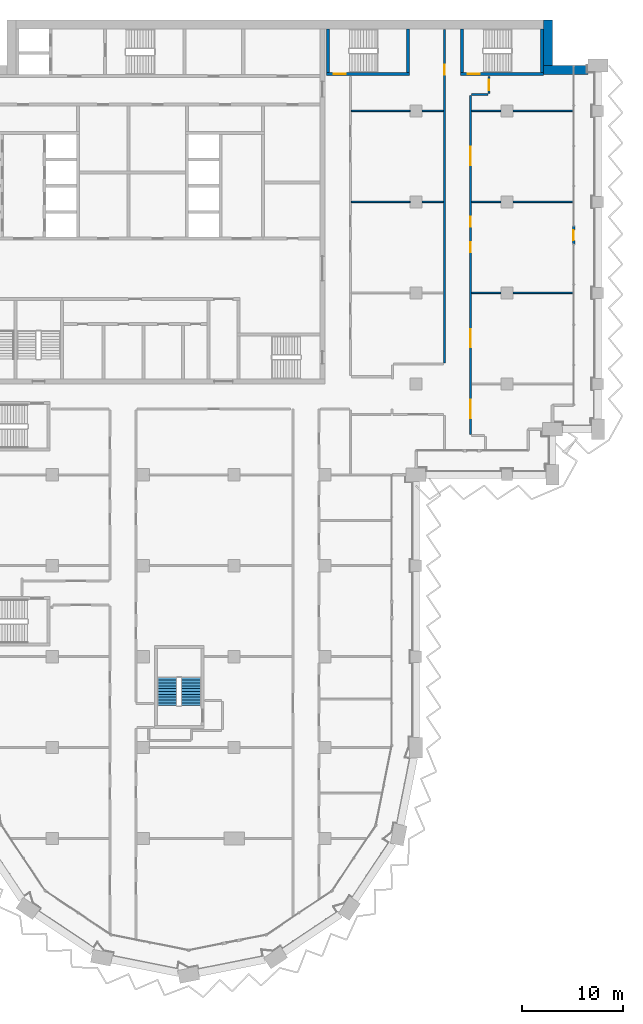
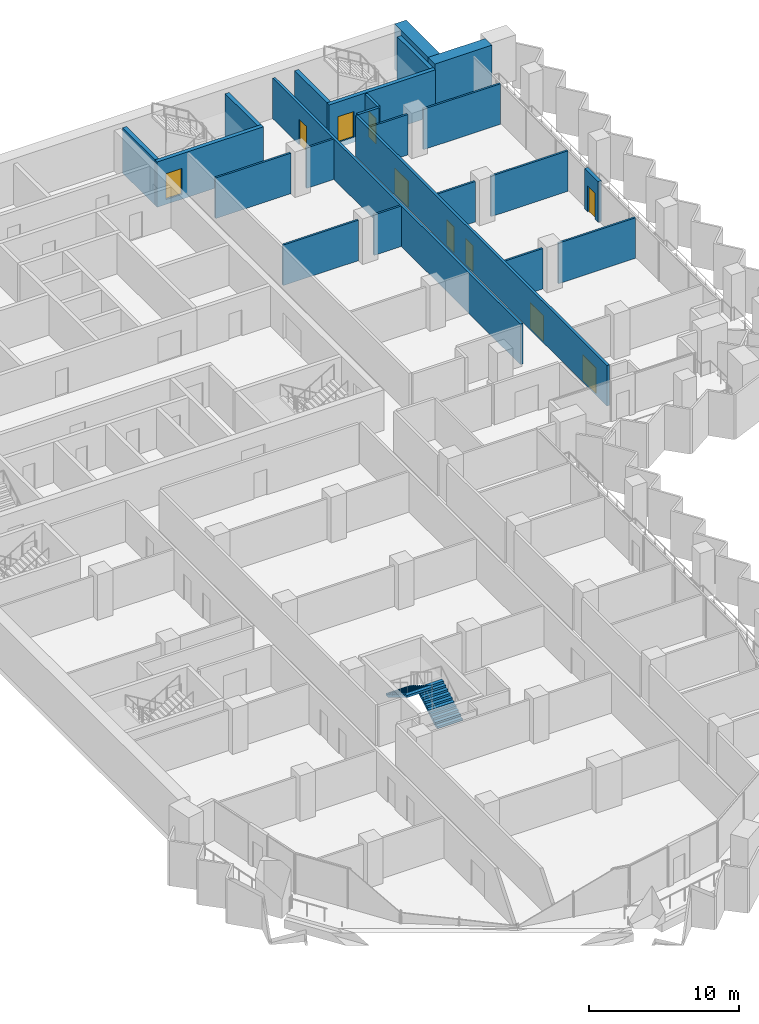
# One storey, part 14 of 22: 23 walls, 10 doors, 2 stair flights, 10 openings, 1 element without a shape of its own.
"""IFC4 building model written with IfcOpenShell, lengths in metres."""

from ifc_helpers import new_model, si_unit, direction, frame, frame_2d, origin, place, context, subcontext, project, spatial, polyline, rectangle, outline, extrude, material, layer, layer_set, type_object, element, fill, aggregate, save


model = new_model("IFC4")

# Units and contexts
model_context = context("Model", 3, precision=1e-05, world=origin(), true_north=direction((0.0, 1.0)))
body_context = subcontext(model_context, "Body", "Model", "MODEL_VIEW")
ifc_project = project(units=[si_unit("LENGTHUNIT", "METRE"), si_unit("AREAUNIT", "SQUARE_METRE"), si_unit("VOLUMEUNIT", "CUBIC_METRE"), si_unit("PLANEANGLEUNIT", "RADIAN"), si_unit("MASSUNIT", "GRAM", prefix="KILO")], contexts=[model_context])

# Site, building, storey
site_placement = place(None, origin())
site = spatial("IfcSite", under=ifc_project, at=site_placement, CompositionType="ELEMENT")
building_placement = place(site_placement, origin())
building = spatial("IfcBuilding", under=site, at=building_placement, Name="Hunhe Ridgeline Campus", CompositionType="ELEMENT")
storey_placement = place(building_placement, frame((0.0, 0.0, 137.5)))
storey = spatial("IfcBuildingStorey", under=building, at=storey_placement, Name="L34", CompositionType="ELEMENT", Elevation=137.5)

# Wall
ifc_material_1 = material(Name="Gypsum board partition")
ifc_layer_1 = layer(ifc_material_1, 0.199951171875)
ifc_layer_set_1 = layer_set([ifc_layer_1], Name="Corridor partition 200 gypsum board on steel studs")
wall_type_1 = type_object("IfcWallType", Name="Corridor partition 200 gypsum board on steel studs", PredefinedType="PARTITIONING", material=ifc_layer_set_1)
wall_1_placement = place(storey_placement, frame((52.10009765625, 91.64990234375, 0.0), z_axis=(0.0, 0.0, 1.0), x_axis=(-1.0, 0.0, 0.0)))
element("IfcWall", 1, at=wall_1_placement, inside=storey, type_object=wall_type_1, Name="F-L34-wall-058", PredefinedType="PARTITIONING", context=body_context, shape_type="SweptSolid", body=[
    extrude(rectangle(XDim=1.60009765625, YDim=0.199951171875, at=frame_2d((0.800048828125, 0.0))), origin(), (0.0, 0.0, 1.0), 3.300048828125),
])

# Wall, opening, door
wall_2_placement = place(storey_placement, frame((47.800048828125, 65.050048828125, 0.0), z_axis=(0.0, 0.0, 1.0), x_axis=(0.0, 1.0, 0.0)))
wall_2 = element("IfcWall", 2, at=wall_2_placement, inside=storey, type_object=wall_type_1, Name="F-L34-wall-080", PredefinedType="PARTITIONING", context=body_context, shape_type="SweptSolid", body=[
    extrude(rectangle(XDim=33.030029296875, YDim=0.199951171875, at=frame_2d((16.51513671875, 0.0))), origin(), (0.0, 0.0, 1.0), 3.300048828125),
])
opening_1_placement = place(wall_2_placement, frame((28.540283203125, 0.0, 0.0)))
opening_1 = element("IfcOpeningElement", 3, at=opening_1_placement, cuts=wall_2, Name="Opening RD1-043", PredefinedType="OPENING", context=body_context, shape_type="SweptSolid", body=[
    extrude(rectangle(XDim=1.0, YDim=2.10009765625, at=frame_2d((0.5, 1.050048828125))), frame((0.0, 0.10009765625, 0.0), z_axis=(0.0, -1.0, 0.0), x_axis=(1.0, 0.0, 0.0)), (0.0, 0.0, 1.0), 0.199951171875),
])
ifc_material_2 = material(Name="Timber door leaf", Category="wood")
door_type_1 = type_object("IfcDoorType", Name="Single fire door 1000x2100 timber FD60", OperationType="NOTDEFINED", PredefinedType="DOOR", material=ifc_material_2)
door_1_placement = place(opening_1_placement, origin())
door_1 = element("IfcDoor", 4, at=door_1_placement, inside=storey, type_object=door_type_1, Name="F-L34-door-043", OperationType="SINGLE_SWING_RIGHT", OverallHeight=2.10009765625, OverallWidth=1.0, PredefinedType="DOOR", context=body_context, shape_type="SweptSolid", body=[
    extrude(rectangle(XDim=1.0, YDim=2.10009765625, at=frame_2d((0.5, 1.050048828125))), frame((0.0, 0.02490234375, 0.0), z_axis=(0.0, -1.0, 0.0), x_axis=(1.0, 0.0, 0.0)), (0.0, 0.0, 1.0), 0.050048828125),
])
fill(opening_1, door_1)

# Wall, openings, doors
wall_3_placement = place(storey_placement, frame((50.39990234375, 91.550048828125, 0.0), z_axis=(0.0, 0.0, 1.0), x_axis=(0.0, -1.0, 0.0)))
wall_3 = element("IfcWall", 5, at=wall_3_placement, inside=storey, type_object=wall_type_1, Name="F-L34-wall-081", PredefinedType="PARTITIONING", context=body_context, shape_type="SweptSolid", body=[
    extrude(rectangle(XDim=33.549072265625, YDim=0.199951171875, at=frame_2d((16.7744140625, 0.0))), origin(), (0.0, 0.0, 1.0), 3.300048828125),
])
opening_2_placement = place(wall_3_placement, frame((30.145263671875, 0.0, 0.0)))
opening_2 = element("IfcOpeningElement", 6, at=opening_2_placement, cuts=wall_3, Name="Opening RD2-031", PredefinedType="OPENING", context=body_context, shape_type="SweptSolid", body=[
    extrude(rectangle(XDim=1.800048828125, YDim=2.10009765625, at=frame_2d((0.89990234375, 1.050048828125))), frame((0.0, 0.10009765625, 0.0), z_axis=(0.0, -1.0, 0.0), x_axis=(1.0, 0.0, 0.0)), (0.0, 0.0, 1.0), 0.199951171875),
])
opening_3_placement = place(wall_3_placement, frame((23.135009765625, 0.0, 0.0)))
opening_3 = element("IfcOpeningElement", 7, at=opening_3_placement, cuts=wall_3, Name="Opening RD2-032", PredefinedType="OPENING", context=body_context, shape_type="SweptSolid", body=[
    extrude(rectangle(XDim=1.800048828125, YDim=2.10009765625, at=frame_2d((0.89990234375, 1.050048828125))), frame((0.0, 0.10009765625, 0.0), z_axis=(0.0, -1.0, 0.0), x_axis=(1.0, 0.0, 0.0)), (0.0, 0.0, 1.0), 0.199951171875),
])
opening_4_placement = place(wall_3_placement, frame((14.52197265625, 0.0, 0.0)))
opening_4 = element("IfcOpeningElement", 8, at=opening_4_placement, cuts=wall_3, Name="Opening RD1-035", PredefinedType="OPENING", context=body_context, shape_type="SweptSolid", body=[
    extrude(rectangle(XDim=1.0, YDim=2.10009765625, at=frame_2d((0.5, 1.050048828125))), frame((0.0, 0.10009765625, 0.0), z_axis=(0.0, -1.0, 0.0), x_axis=(1.0, 0.0, 0.0)), (0.0, 0.0, 1.0), 0.199951171875),
])
opening_5_placement = place(wall_3_placement, frame((12.02197265625, 0.0, 0.0)))
opening_5 = element("IfcOpeningElement", 9, at=opening_5_placement, cuts=wall_3, Name="Opening RD1-037", PredefinedType="OPENING", context=body_context, shape_type="SweptSolid", body=[
    extrude(rectangle(XDim=1.0, YDim=2.10009765625, at=frame_2d((0.5, 1.050048828125))), frame((0.0, 0.10009765625, 0.0), z_axis=(0.0, -1.0, 0.0), x_axis=(1.0, 0.0, 0.0)), (0.0, 0.0, 1.0), 0.199951171875),
])
opening_6_placement = place(wall_3_placement, frame((5.10888671875, 0.0, 0.0)))
opening_6 = element("IfcOpeningElement", 10, at=opening_6_placement, cuts=wall_3, Name="Opening RD2-040", PredefinedType="OPENING", context=body_context, shape_type="SweptSolid", body=[
    extrude(rectangle(XDim=1.800048828125, YDim=2.10009765625, at=frame_2d((0.89990234375, 1.050048828125))), frame((0.0, 0.10009765625, 0.0), z_axis=(0.0, -1.0, 0.0), x_axis=(1.0, 0.0, 0.0)), (0.0, 0.0, 1.0), 0.199951171875),
])
door_type_2 = type_object("IfcDoorType", Name="Double fire door 1800x2100 timber FD60", OperationType="DOUBLE_DOOR_SINGLE_SWING", PredefinedType="DOOR", material=ifc_material_2)
door_2_placement = place(opening_2_placement, origin())
door_2 = element("IfcDoor", 11, at=door_2_placement, inside=storey, type_object=door_type_2, Name="F-L34-door-031", OperationType="DOUBLE_DOOR_SINGLE_SWING", OverallHeight=2.10009765625, OverallWidth=1.800048828125, PredefinedType="DOOR", context=body_context, shape_type="SweptSolid", body=[
    extrude(rectangle(XDim=1.800048828125, YDim=2.10009765625, at=frame_2d((0.89990234375, 1.050048828125))), frame((0.0, 0.02490234375, 0.0), z_axis=(0.0, -1.0, 0.0), x_axis=(1.0, 0.0, 0.0)), (0.0, 0.0, 1.0), 0.050048828125),
])
fill(opening_2, door_2)
door_3_placement = place(opening_3_placement, origin())
door_3 = element("IfcDoor", 12, at=door_3_placement, inside=storey, type_object=door_type_2, Name="F-L34-door-032", OperationType="DOUBLE_DOOR_SINGLE_SWING", OverallHeight=2.10009765625, OverallWidth=1.800048828125, PredefinedType="DOOR", context=body_context, shape_type="SweptSolid", body=[
    extrude(rectangle(XDim=1.800048828125, YDim=2.10009765625, at=frame_2d((0.89990234375, 1.050048828125))), frame((0.0, 0.02490234375, 0.0), z_axis=(0.0, -1.0, 0.0), x_axis=(1.0, 0.0, 0.0)), (0.0, 0.0, 1.0), 0.050048828125),
])
fill(opening_3, door_3)
door_4_placement = place(opening_6_placement, origin())
door_4 = element("IfcDoor", 13, at=door_4_placement, inside=storey, type_object=door_type_2, Name="F-L34-door-040", OperationType="DOUBLE_DOOR_SINGLE_SWING", OverallHeight=2.10009765625, OverallWidth=1.800048828125, PredefinedType="DOOR", context=body_context, shape_type="SweptSolid", body=[
    extrude(rectangle(XDim=1.800048828125, YDim=2.10009765625, at=frame_2d((0.89990234375, 1.050048828125))), frame((0.0, 0.02490234375, 0.0), z_axis=(0.0, -1.0, 0.0), x_axis=(1.0, 0.0, 0.0)), (0.0, 0.0, 1.0), 0.050048828125),
])
fill(opening_6, door_4)
door_5_placement = place(opening_4_placement, frame((1.0, 0.0, 0.0), z_axis=(0.0, 0.0, 1.0), x_axis=(-1.0, 0.0, 0.0)))
door_5 = element("IfcDoor", 14, at=door_5_placement, inside=storey, type_object=door_type_1, Name="F-L34-door-035", OperationType="SINGLE_SWING_RIGHT", OverallHeight=2.10009765625, OverallWidth=1.0, PredefinedType="DOOR", context=body_context, shape_type="SweptSolid", body=[
    extrude(rectangle(XDim=1.0, YDim=2.10009765625, at=frame_2d((0.5, 1.050048828125))), frame((0.0, 0.02490234375, 0.0), z_axis=(0.0, -1.0, 0.0), x_axis=(1.0, 0.0, 0.0)), (0.0, 0.0, 1.0), 0.050048828125),
])
fill(opening_4, door_5)
door_6_placement = place(opening_5_placement, frame((1.0, 0.0, 0.0), z_axis=(0.0, 0.0, 1.0), x_axis=(-1.0, 0.0, 0.0)))
door_6 = element("IfcDoor", 15, at=door_6_placement, inside=storey, type_object=door_type_1, Name="F-L34-door-037", OperationType="SINGLE_SWING_RIGHT", OverallHeight=2.10009765625, OverallWidth=1.0, PredefinedType="DOOR", context=body_context, shape_type="SweptSolid", body=[
    extrude(rectangle(XDim=1.0, YDim=2.10009765625, at=frame_2d((0.5, 1.050048828125))), frame((0.0, 0.02490234375, 0.0), z_axis=(0.0, -1.0, 0.0), x_axis=(1.0, 0.0, 0.0)), (0.0, 0.0, 1.0), 0.050048828125),
])
fill(opening_5, door_6)

# Wall, opening, door
wall_4_placement = place(storey_placement, frame((52.199951171875, 93.39599609375, 0.0), z_axis=(0.0, 0.0, 1.0), x_axis=(0.0, -1.0, 0.0)))
wall_4 = element("IfcWall", 16, at=wall_4_placement, inside=storey, type_object=wall_type_1, Name="F-L34-wall-083", PredefinedType="PARTITIONING", context=body_context, shape_type="SweptSolid", body=[
    extrude(rectangle(XDim=1.64599609375, YDim=0.199951171875, at=frame_2d((0.822998046875, 0.0))), origin(), (0.0, 0.0, 1.0), 3.300048828125),
])
opening_7_placement = place(wall_4_placement, frame((0.322998046875, 0.0, 0.0)))
opening_7 = element("IfcOpeningElement", 17, at=opening_7_placement, cuts=wall_4, Name="Opening RD1-042", PredefinedType="OPENING", context=body_context, shape_type="SweptSolid", body=[
    extrude(rectangle(XDim=1.0, YDim=2.10009765625, at=frame_2d((0.5, 1.050048828125))), frame((0.0, 0.10009765625, 0.0), z_axis=(0.0, -1.0, 0.0), x_axis=(1.0, 0.0, 0.0)), (0.0, 0.0, 1.0), 0.199951171875),
])
door_7_placement = place(opening_7_placement, origin())
door_7 = element("IfcDoor", 18, at=door_7_placement, inside=storey, type_object=door_type_1, Name="F-L34-door-042", OperationType="SINGLE_SWING_LEFT", OverallHeight=2.10009765625, OverallWidth=1.0, PredefinedType="DOOR", context=body_context, shape_type="SweptSolid", body=[
    extrude(rectangle(XDim=1.0, YDim=2.10009765625, at=frame_2d((0.5, 1.050048828125))), frame((0.0, 0.02490234375, 0.0), z_axis=(0.0, -1.0, 0.0), x_axis=(1.0, 0.0, 0.0)), (0.0, 0.0, 1.0), 0.050048828125),
])
fill(opening_7, door_7)

ifc_material_3 = material(Name="Concrete C30", Category="concrete")
ifc_layer_2 = layer(ifc_material_3, 0.25)
ifc_layer_set_2 = layer_set([ifc_layer_2], Name="Loggia door pier wall 250 Concrete C30")
wall_type_2 = type_object("IfcWallType", Name="Loggia door pier wall 250 Concrete C30", PredefinedType="SOLIDWALL", material=ifc_layer_set_2)
wall_5_placement = place(storey_placement, frame((60.59912109375, 76.800537109375, 0.0), z_axis=(0.0, 0.0, 1.0), x_axis=(0.0, 1.0, 0.0)))
wall_5 = element("IfcWall", 19, at=wall_5_placement, inside=storey, type_object=wall_type_2, Name="Loggia door pier 5", PredefinedType="SOLIDWALL", context=body_context, shape_type="SweptSolid", body=[
    extrude(rectangle(XDim=1.800048828125, YDim=0.25, at=frame_2d((0.89990234375, 0.0))), origin(), (0.0, 0.0, 1.0), 3.300048828125),
])
opening_8_placement = place(wall_5_placement, frame((0.39990234375, 0.0, 0.0)))
opening_8 = element("IfcOpeningElement", 20, at=opening_8_placement, cuts=wall_5, Name="Opening BD307", PredefinedType="OPENING", context=body_context, shape_type="SweptSolid", body=[
    extrude(rectangle(XDim=1.0, YDim=2.10009765625, at=frame_2d((0.5, 1.050048828125))), frame((0.0, 0.125, 0.0), z_axis=(0.0, -1.0, 0.0), x_axis=(1.0, 0.0, 0.0)), (0.0, 0.0, 1.0), 0.25),
])
ifc_material_4 = material(Name="Aluminium 6063", Category="aluminium")
door_type_3 = type_object("IfcDoorType", Name="Loggia glazed door 1000x2100", OperationType="NOTDEFINED", PredefinedType="DOOR", material=ifc_material_4)
door_8_placement = place(opening_8_placement, frame((1.0, 0.0, 0.0), z_axis=(0.0, 0.0, 1.0), x_axis=(-1.0, 0.0, 0.0)))
door_8 = element("IfcDoor", 21, at=door_8_placement, inside=storey, type_object=door_type_3, Name="Loggia door BD307", OperationType="SINGLE_SWING_RIGHT", OverallHeight=2.10009765625, OverallWidth=1.0, PredefinedType="DOOR", context=body_context, shape_type="SweptSolid", body=[
    extrude(rectangle(XDim=1.0, YDim=2.10009765625, at=frame_2d((0.5, 1.050048828125))), frame((0.0, 0.02490234375, 0.0), z_axis=(0.0, -1.0, 0.0), x_axis=(1.0, 0.0, 0.0)), (0.0, 0.0, 1.0), 0.050048828125),
])
fill(opening_8, door_8)

# Walls
ifc_layer_3 = layer(ifc_material_1, 0.14990234375)
ifc_layer_set_3 = layer_set([ifc_layer_3], Name="Room partition 150 gypsum board on steel studs")
wall_type_3 = type_object("IfcWallType", Name="Room partition 150 gypsum board on steel studs", PredefinedType="PARTITIONING", material=ifc_layer_set_3)
wall_6_placement = place(storey_placement, frame((50.5, 72.0, 0.0), z_axis=(0.0, 0.0, 1.0), x_axis=(1.0, 0.0, 0.0)))
element("IfcWall", 22, at=wall_6_placement, inside=storey, type_object=wall_type_3, Name="F-L34-wall-048", PredefinedType="PARTITIONING", context=body_context, shape_type="SweptSolid", body=[
    extrude(rectangle(XDim=2.89990234375, YDim=0.14990234375, at=frame_2d((1.449951171875, 0.0))), origin(), (0.0, 0.0, 1.0), 3.300048828125),
])
wall_7_placement = place(storey_placement, frame((54.60009765625, 72.0, 0.0), z_axis=(0.0, 0.0, 1.0), x_axis=(1.0, 0.0, 0.0)))
element("IfcWall", 23, at=wall_7_placement, inside=storey, type_object=wall_type_3, Name="F-L34-wall-049", PredefinedType="PARTITIONING", context=body_context, shape_type="SweptSolid", body=[
    extrude(rectangle(XDim=5.94482421875, YDim=0.14990234375, at=frame_2d((2.972412109375, 0.0))), origin(), (0.0, 0.0, 1.0), 3.300048828125),
])
wall_8_placement = place(storey_placement, frame((38.60009765625, 81.0, 0.0), z_axis=(0.0, 0.0, 1.0), x_axis=(1.0, 0.0, 0.0)))
element("IfcWall", 24, at=wall_8_placement, inside=storey, type_object=wall_type_3, Name="F-L34-wall-050", PredefinedType="PARTITIONING", context=body_context, shape_type="SweptSolid", body=[
    extrude(rectangle(XDim=5.7998046875, YDim=0.14990234375, at=frame_2d((2.89990234375, 0.0))), origin(), (0.0, 0.0, 1.0), 3.300048828125),
])
wall_9_placement = place(storey_placement, frame((45.60009765625, 81.0, 0.0), z_axis=(0.0, 0.0, 1.0), x_axis=(1.0, 0.0, 0.0)))
element("IfcWall", 25, at=wall_9_placement, inside=storey, type_object=wall_type_3, Name="F-L34-wall-051", PredefinedType="PARTITIONING", context=body_context, shape_type="SweptSolid", body=[
    extrude(rectangle(XDim=2.099853515625, YDim=0.14990234375, at=frame_2d((1.0498046875, 0.0))), origin(), (0.0, 0.0, 1.0), 3.300048828125),
])
wall_10_placement = place(storey_placement, frame((50.5, 81.0, 0.0), z_axis=(0.0, 0.0, 1.0), x_axis=(1.0, 0.0, 0.0)))
element("IfcWall", 26, at=wall_10_placement, inside=storey, type_object=wall_type_3, Name="F-L34-wall-052", PredefinedType="PARTITIONING", context=body_context, shape_type="SweptSolid", body=[
    extrude(rectangle(XDim=2.89990234375, YDim=0.14990234375, at=frame_2d((1.449951171875, 0.0))), origin(), (0.0, 0.0, 1.0), 3.300048828125),
])
wall_11_placement = place(storey_placement, frame((54.60009765625, 81.0, 0.0), z_axis=(0.0, 0.0, 1.0), x_axis=(1.0, 0.0, 0.0)))
element("IfcWall", 27, at=wall_11_placement, inside=storey, type_object=wall_type_3, Name="F-L34-wall-053", PredefinedType="PARTITIONING", context=body_context, shape_type="SweptSolid", body=[
    extrude(rectangle(XDim=5.94482421875, YDim=0.14990234375, at=frame_2d((2.972412109375, 0.0))), origin(), (0.0, 0.0, 1.0), 3.300048828125),
])
wall_12_placement = place(storey_placement, frame((38.60009765625, 90.0, 0.0), z_axis=(0.0, 0.0, 1.0), x_axis=(1.0, 0.0, 0.0)))
element("IfcWall", 28, at=wall_12_placement, inside=storey, type_object=wall_type_3, Name="F-L34-wall-054", PredefinedType="PARTITIONING", context=body_context, shape_type="SweptSolid", body=[
    extrude(rectangle(XDim=5.7998046875, YDim=0.14990234375, at=frame_2d((2.89990234375, 0.0))), origin(), (0.0, 0.0, 1.0), 3.300048828125),
])
wall_13_placement = place(storey_placement, frame((45.60009765625, 90.0, 0.0), z_axis=(0.0, 0.0, 1.0), x_axis=(1.0, 0.0, 0.0)))
element("IfcWall", 29, at=wall_13_placement, inside=storey, type_object=wall_type_3, Name="F-L34-wall-055", PredefinedType="PARTITIONING", context=body_context, shape_type="SweptSolid", body=[
    extrude(rectangle(XDim=2.099853515625, YDim=0.14990234375, at=frame_2d((1.0498046875, 0.0))), origin(), (0.0, 0.0, 1.0), 3.300048828125),
])
wall_14_placement = place(storey_placement, frame((50.5, 90.0, 0.0), z_axis=(0.0, 0.0, 1.0), x_axis=(1.0, 0.0, 0.0)))
element("IfcWall", 30, at=wall_14_placement, inside=storey, type_object=wall_type_3, Name="F-L34-wall-056", PredefinedType="PARTITIONING", context=body_context, shape_type="SweptSolid", body=[
    extrude(rectangle(XDim=2.89990234375, YDim=0.14990234375, at=frame_2d((1.449951171875, 0.0))), origin(), (0.0, 0.0, 1.0), 3.300048828125),
])
wall_15_placement = place(storey_placement, frame((54.60009765625, 90.0, 0.0), z_axis=(0.0, 0.0, 1.0), x_axis=(1.0, 0.0, 0.0)))
element("IfcWall", 31, at=wall_15_placement, inside=storey, type_object=wall_type_3, Name="F-L34-wall-057", PredefinedType="PARTITIONING", context=body_context, shape_type="SweptSolid", body=[
    extrude(rectangle(XDim=5.94482421875, YDim=0.14990234375, at=frame_2d((2.972412109375, 0.0))), origin(), (0.0, 0.0, 1.0), 3.300048828125),
])
ifc_material_5 = material(Name="Concrete C70", Category="concrete")
ifc_layer_4 = layer(ifc_material_5, 0.89990234375)
ifc_layer_set_4 = layer_set([ifc_layer_4], Name="Spine wall 900 Concrete C70")
wall_type_4 = type_object("IfcWallType", Name="Spine wall 900 Concrete C70", PredefinedType="SHEAR", material=ifc_layer_set_4)
wall_16_placement = place(storey_placement, frame((62.0, 94.050048828125, 0.0), z_axis=(0.0, 0.0, 1.0), x_axis=(-1.0, 0.0, 0.0)))
element("IfcWall", 32, at=wall_16_placement, inside=storey, type_object=wall_type_4, Name="Spine wall SW2-2 L34", PredefinedType="SHEAR", context=body_context, shape_type="SweptSolid", body=[
    extrude(rectangle(XDim=4.400390625, YDim=0.89990234375, at=frame_2d((2.2001953125, 0.0))), origin(), (0.0, 0.0, 1.0), 3.699951171875),
])
wall_17_placement = place(storey_placement, frame((58.050048828125, 93.60009765625, 0.0), z_axis=(0.0, 0.0, 1.0), x_axis=(0.0, 1.0, 0.0)))
element("IfcWall", 33, at=wall_17_placement, inside=storey, type_object=wall_type_4, Name="Spine wall SW2-3 L34", PredefinedType="SHEAR", context=body_context, shape_type="SweptSolid", body=[
    extrude(rectangle(XDim=5.39990234375, YDim=0.89990234375, at=frame_2d((2.699951171875, 0.0))), origin(), (0.0, 0.0, 1.0), 3.699951171875),
])

# Wall, opening, door
ifc_layer_5 = layer(ifc_material_5, 0.300048828125)
ifc_layer_set_5 = layer_set([ifc_layer_5], Name="Stair wall 300 reinforced concrete C70")
wall_type_5 = type_object("IfcWallType", Name="Stair wall 300 reinforced concrete C70", PredefinedType="SOLIDWALL", material=ifc_layer_set_5)
wall_18_placement = place(storey_placement, frame((36.14990234375, 93.64990234375, -0.39990234375), z_axis=(0.0, 0.0, 1.0), x_axis=(1.0, 0.0, 0.0)))
wall_18 = element("IfcWall", 34, at=wall_18_placement, inside=storey, type_object=wall_type_5, Name="L34 core wall 29", PredefinedType="SOLIDWALL", context=body_context, shape_type="SweptSolid", body=[
    extrude(rectangle(XDim=8.2001953125, YDim=0.300048828125, at=frame_2d((4.10009765625, 0.0))), origin(), (0.0, 0.0, 1.0), 3.699951171875),
])
opening_9_placement = place(wall_18_placement, frame((0.699951171875, 0.0, 0.39990234375)))
opening_9 = element("IfcOpeningElement", 35, at=opening_9_placement, cuts=wall_18, Name="Opening CD17", PredefinedType="OPENING", context=body_context, shape_type="SweptSolid", body=[
    extrude(rectangle(XDim=1.199951171875, YDim=2.10009765625, at=frame_2d((0.60009765625, 1.050048828125))), frame((0.0, 0.14990234375, 0.0), z_axis=(0.0, -1.0, 0.0), x_axis=(1.0, 0.0, 0.0)), (0.0, 0.0, 1.0), 0.300048828125),
])
ifc_material_6 = material(Name="Hollow metal fire door leaf")
door_type_4 = type_object("IfcDoorType", Name="Stair door 1200x2100 FD60", OperationType="SINGLE_SWING_LEFT", PredefinedType="DOOR", material=ifc_material_6)
door_9_placement = place(opening_9_placement, frame((1.199951171875, 0.0, 0.0), z_axis=(0.0, 0.0, 1.0), x_axis=(-1.0, 0.0, 0.0)))
door_9 = element("IfcDoor", 36, at=door_9_placement, inside=storey, type_object=door_type_4, Name="L34 door E1", OperationType="SINGLE_SWING_RIGHT", OverallHeight=2.10009765625, OverallWidth=1.199951171875, PredefinedType="DOOR", context=body_context, shape_type="SweptSolid", body=[
    extrude(rectangle(XDim=1.199951171875, YDim=2.10009765625, at=frame_2d((0.60009765625, 1.050048828125))), frame((0.0, 0.02490234375, 0.0), z_axis=(0.0, -1.0, 0.0), x_axis=(1.0, 0.0, 0.0)), (0.0, 0.0, 1.0), 0.050048828125),
])
fill(opening_9, door_9)

wall_19_placement = place(storey_placement, frame((49.39990234375, 93.64990234375, -0.39990234375), z_axis=(0.0, 0.0, 1.0), x_axis=(1.0, 0.0, 0.0)))
wall_19 = element("IfcWall", 37, at=wall_19_placement, inside=storey, type_object=wall_type_5, Name="L34 core wall 30", PredefinedType="SOLIDWALL", context=body_context, shape_type="SweptSolid", body=[
    extrude(rectangle(XDim=8.2001953125, YDim=0.300048828125, at=frame_2d((4.10009765625, 0.0))), origin(), (0.0, 0.0, 1.0), 3.699951171875),
])
opening_10_placement = place(wall_19_placement, frame((0.699951171875, 0.0, 0.39990234375)))
opening_10 = element("IfcOpeningElement", 38, at=opening_10_placement, cuts=wall_19, Name="Opening CD18", PredefinedType="OPENING", context=body_context, shape_type="SweptSolid", body=[
    extrude(rectangle(XDim=1.199951171875, YDim=2.10009765625, at=frame_2d((0.60009765625, 1.050048828125))), frame((0.0, 0.14990234375, 0.0), z_axis=(0.0, -1.0, 0.0), x_axis=(1.0, 0.0, 0.0)), (0.0, 0.0, 1.0), 0.300048828125),
])
door_10_placement = place(opening_10_placement, frame((1.199951171875, 0.0, 0.0), z_axis=(0.0, 0.0, 1.0), x_axis=(-1.0, 0.0, 0.0)))
door_10 = element("IfcDoor", 39, at=door_10_placement, inside=storey, type_object=door_type_4, Name="L34 door E2", OperationType="SINGLE_SWING_LEFT", OverallHeight=2.10009765625, OverallWidth=1.199951171875, PredefinedType="DOOR", context=body_context, shape_type="SweptSolid", body=[
    extrude(rectangle(XDim=1.199951171875, YDim=2.10009765625, at=frame_2d((0.60009765625, 1.050048828125))), frame((0.0, 0.02490234375, 0.0), z_axis=(0.0, -1.0, 0.0), x_axis=(1.0, 0.0, 0.0)), (0.0, 0.0, 1.0), 0.050048828125),
])
fill(opening_10, door_10)

# Walls
for number, where, z_axis, x_axis, name in (
    (40, (36.300048828125, 93.800048828125, -0.39990234375), (0.0, 0.0, 1.0), (0.0, 1.0, 0.0), "L34 core wall 60"),
    (41, (44.199951171875, 93.800048828125, -0.39990234375), (0.0, 0.0, 1.0), (0.0, 1.0, 0.0), "L34 core wall 61"),
    (42, (49.550048828125, 93.800048828125, -0.39990234375), (0.0, 0.0, 1.0), (0.0, 1.0, 0.0), "L34 core wall 62"),
    (43, (57.449951171875, 93.800048828125, -0.39990234375), (0.0, 0.0, 1.0), (0.0, 1.0, 0.0), "L34 core wall 63"),
):
    element("IfcWall", number, at=place(storey_placement, frame(where, z_axis=z_axis, x_axis=x_axis)), inside=storey, type_object=wall_type_5, Name=name, PredefinedType="SOLIDWALL", context=body_context, shape_type="SweptSolid", body=[
        extrude(rectangle(XDim=4.300048828125, YDim=0.300048828125, at=frame_2d((2.14990234375, 0.0))), origin(), (0.0, 0.0, 1.0), 3.699951171875),
    ])

# Stair, stair flights
ifc_material_7 = material(Name="Concrete C40", Category="concrete")
stair_type = type_object("IfcStairType", Name="Reinforced concrete dog-leg stair 1950 Concrete C40", PredefinedType="HALF_TURN_STAIR", material=ifc_material_7)
stair_placement = place(storey_placement, origin())
stair = element("IfcStair", 44, at=stair_placement, inside=storey, type_object=stair_type, Name="L34 W3", PredefinedType="HALF_TURN_STAIR")
stair_flight_type = type_object("IfcStairFlightType", Name="Reinforced concrete stair flight 1950 Concrete C40", PredefinedType="STRAIGHT", material=ifc_material_7)
stair_flight_1_placement = place(storey_placement, frame((22.72509765625, 31.14990234375, 0.0), z_axis=(0.0, 0.0, 1.0), x_axis=(0.0, 1.0, 0.0)))
stair_flight_1 = element("IfcStairFlight", 45, at=stair_flight_1_placement, type_object=stair_flight_type, Name="ST9 flight 1", NumberOfRisers=11, NumberOfTreads=10, PredefinedType="STRAIGHT", RiserHeight=0.168181818, TreadLength=0.28, context=body_context, shape_type="SweptSolid", body=[
    extrude(outline(polyline([(0.0, 0.0), (0.0, 0.168212890625), (0.280029296875, 0.168212890625), (0.280029296875, 0.33642578125), (0.56005859375, 0.33642578125), (0.56005859375, 0.504638671875), (0.840087890625, 0.504638671875), (0.840087890625, 0.672607421875), (1.1201171875, 0.672607421875), (1.1201171875, 0.8408203125), (1.39990234375, 0.8408203125), (1.39990234375, 1.009033203125), (1.679931640625, 1.009033203125), (1.679931640625, 1.17724609375), (1.9599609375, 1.17724609375), (1.9599609375, 1.345458984375), (2.239990234375, 1.345458984375), (2.239990234375, 1.513671875), (2.52001953125, 1.513671875), (2.52001953125, 1.681884765625), (2.800048828125, 1.681884765625), (2.800048828125, 1.85009765625), (2.800048828125, 1.5068359375), (0.291015625, 0.0), (0.0, 0.0)])), frame((0.0, 0.97509765625, 0.0), z_axis=(0.0, -1.0, 0.0), x_axis=(1.0, 0.0, 0.0)), (0.0, 0.0, 1.0), 1.949951171875),
    extrude(outline(polyline([(0.030029296875, 0.030029296875), (0.030029296875, 0.13818359375), (0.31005859375, 0.13818359375), (0.31005859375, 0.306396484375), (0.590087890625, 0.306396484375), (0.590087890625, 0.474609375), (0.8701171875, 0.474609375), (0.8701171875, 0.642578125), (1.14990234375, 0.642578125), (1.14990234375, 0.810791015625), (1.429931640625, 0.810791015625), (1.429931640625, 0.97900390625), (1.7099609375, 0.97900390625), (1.7099609375, 1.147216796875), (1.989990234375, 1.147216796875), (1.989990234375, 1.3154296875), (2.27001953125, 1.3154296875), (2.27001953125, 1.483642578125), (2.550048828125, 1.483642578125), (2.550048828125, 1.65185546875), (2.77001953125, 1.65185546875), (2.77001953125, 1.52392578125), (0.28271484375, 0.030029296875), (0.030029296875, 0.030029296875)])), frame((0.0, -0.070068359375, 0.0), z_axis=(0.0, -1.0, 0.0), x_axis=(1.0, 0.0, 0.0)), (0.0, 0.0, 1.0), 0.019775390625),
    extrude(outline(polyline([(0.030029296875, 0.030029296875), (0.030029296875, 0.13818359375), (0.31005859375, 0.13818359375), (0.31005859375, 0.306396484375), (0.590087890625, 0.306396484375), (0.590087890625, 0.474609375), (0.8701171875, 0.474609375), (0.8701171875, 0.642578125), (1.14990234375, 0.642578125), (1.14990234375, 0.810791015625), (1.429931640625, 0.810791015625), (1.429931640625, 0.97900390625), (1.7099609375, 0.97900390625), (1.7099609375, 1.147216796875), (1.989990234375, 1.147216796875), (1.989990234375, 1.3154296875), (2.27001953125, 1.3154296875), (2.27001953125, 1.483642578125), (2.550048828125, 1.483642578125), (2.550048828125, 1.65185546875), (2.77001953125, 1.65185546875), (2.77001953125, 1.52392578125), (0.28271484375, 0.030029296875), (0.030029296875, 0.030029296875)])), frame((0.0, 0.010009765625, 0.0), z_axis=(0.0, -1.0, 0.0), x_axis=(1.0, 0.0, 0.0)), (0.0, 0.0, 1.0), 0.019775390625),
    extrude(outline(polyline([(0.030029296875, 0.030029296875), (0.030029296875, 0.13818359375), (0.31005859375, 0.13818359375), (0.31005859375, 0.306396484375), (0.590087890625, 0.306396484375), (0.590087890625, 0.474609375), (0.8701171875, 0.474609375), (0.8701171875, 0.642578125), (1.14990234375, 0.642578125), (1.14990234375, 0.810791015625), (1.429931640625, 0.810791015625), (1.429931640625, 0.97900390625), (1.7099609375, 0.97900390625), (1.7099609375, 1.147216796875), (1.989990234375, 1.147216796875), (1.989990234375, 1.3154296875), (2.27001953125, 1.3154296875), (2.27001953125, 1.483642578125), (2.550048828125, 1.483642578125), (2.550048828125, 1.65185546875), (2.77001953125, 1.65185546875), (2.77001953125, 1.52392578125), (0.28271484375, 0.030029296875), (0.030029296875, 0.030029296875)])), frame((0.0, 0.090087890625, 0.0), z_axis=(0.0, -1.0, 0.0), x_axis=(1.0, 0.0, 0.0)), (0.0, 0.0, 1.0), 0.019775390625),
])
stair_flight_2_placement = place(storey_placement, frame((20.375, 33.949951171875, 1.85009765625), z_axis=(0.0, 0.0, 1.0), x_axis=(0.0, -1.0, 0.0)))
stair_flight_2 = element("IfcStairFlight", 46, at=stair_flight_2_placement, type_object=stair_flight_type, Name="ST9 flight 2", NumberOfRisers=11, NumberOfTreads=10, PredefinedType="STRAIGHT", RiserHeight=0.168181818, TreadLength=0.28, context=body_context, shape_type="SweptSolid", body=[
    extrude(outline(polyline([(0.0, 0.0), (0.0, 0.168212890625), (0.280029296875, 0.168212890625), (0.280029296875, 0.33642578125), (0.56005859375, 0.33642578125), (0.56005859375, 0.504638671875), (0.840087890625, 0.504638671875), (0.840087890625, 0.672607421875), (1.1201171875, 0.672607421875), (1.1201171875, 0.8408203125), (1.39990234375, 0.8408203125), (1.39990234375, 1.009033203125), (1.679931640625, 1.009033203125), (1.679931640625, 1.17724609375), (1.9599609375, 1.17724609375), (1.9599609375, 1.345458984375), (2.239990234375, 1.345458984375), (2.239990234375, 1.513671875), (2.52001953125, 1.513671875), (2.52001953125, 1.681884765625), (2.800048828125, 1.681884765625), (2.800048828125, 1.85009765625), (2.800048828125, 1.5068359375), (0.291015625, 0.0), (0.0, 0.0)])), frame((0.0, 0.97509765625, 0.0), z_axis=(0.0, -1.0, 0.0), x_axis=(1.0, 0.0, 0.0)), (0.0, 0.0, 1.0), 1.949951171875),
    extrude(outline(polyline([(0.030029296875, 0.030029296875), (0.030029296875, 0.13818359375), (0.31005859375, 0.13818359375), (0.31005859375, 0.306396484375), (0.590087890625, 0.306396484375), (0.590087890625, 0.474609375), (0.8701171875, 0.474609375), (0.8701171875, 0.642578125), (1.14990234375, 0.642578125), (1.14990234375, 0.810791015625), (1.429931640625, 0.810791015625), (1.429931640625, 0.97900390625), (1.7099609375, 0.97900390625), (1.7099609375, 1.147216796875), (1.989990234375, 1.147216796875), (1.989990234375, 1.3154296875), (2.27001953125, 1.3154296875), (2.27001953125, 1.483642578125), (2.550048828125, 1.483642578125), (2.550048828125, 1.65185546875), (2.77001953125, 1.65185546875), (2.77001953125, 1.52392578125), (0.28271484375, 0.030029296875), (0.030029296875, 0.030029296875)])), frame((0.0, -0.070068359375, 0.0), z_axis=(0.0, -1.0, 0.0), x_axis=(1.0, 0.0, 0.0)), (0.0, 0.0, 1.0), 0.019775390625),
    extrude(outline(polyline([(0.030029296875, 0.030029296875), (0.030029296875, 0.13818359375), (0.31005859375, 0.13818359375), (0.31005859375, 0.306396484375), (0.590087890625, 0.306396484375), (0.590087890625, 0.474609375), (0.8701171875, 0.474609375), (0.8701171875, 0.642578125), (1.14990234375, 0.642578125), (1.14990234375, 0.810791015625), (1.429931640625, 0.810791015625), (1.429931640625, 0.97900390625), (1.7099609375, 0.97900390625), (1.7099609375, 1.147216796875), (1.989990234375, 1.147216796875), (1.989990234375, 1.3154296875), (2.27001953125, 1.3154296875), (2.27001953125, 1.483642578125), (2.550048828125, 1.483642578125), (2.550048828125, 1.65185546875), (2.77001953125, 1.65185546875), (2.77001953125, 1.52392578125), (0.28271484375, 0.030029296875), (0.030029296875, 0.030029296875)])), frame((0.0, 0.010009765625, 0.0), z_axis=(0.0, -1.0, 0.0), x_axis=(1.0, 0.0, 0.0)), (0.0, 0.0, 1.0), 0.019775390625),
    extrude(outline(polyline([(0.030029296875, 0.030029296875), (0.030029296875, 0.13818359375), (0.31005859375, 0.13818359375), (0.31005859375, 0.306396484375), (0.590087890625, 0.306396484375), (0.590087890625, 0.474609375), (0.8701171875, 0.474609375), (0.8701171875, 0.642578125), (1.14990234375, 0.642578125), (1.14990234375, 0.810791015625), (1.429931640625, 0.810791015625), (1.429931640625, 0.97900390625), (1.7099609375, 0.97900390625), (1.7099609375, 1.147216796875), (1.989990234375, 1.147216796875), (1.989990234375, 1.3154296875), (2.27001953125, 1.3154296875), (2.27001953125, 1.483642578125), (2.550048828125, 1.483642578125), (2.550048828125, 1.65185546875), (2.77001953125, 1.65185546875), (2.77001953125, 1.52392578125), (0.28271484375, 0.030029296875), (0.030029296875, 0.030029296875)])), frame((0.0, 0.090087890625, 0.0), z_axis=(0.0, -1.0, 0.0), x_axis=(1.0, 0.0, 0.0)), (0.0, 0.0, 1.0), 0.019775390625),
])
aggregate(stair, [stair_flight_1, stair_flight_2])

save(model, "model.ifc")
